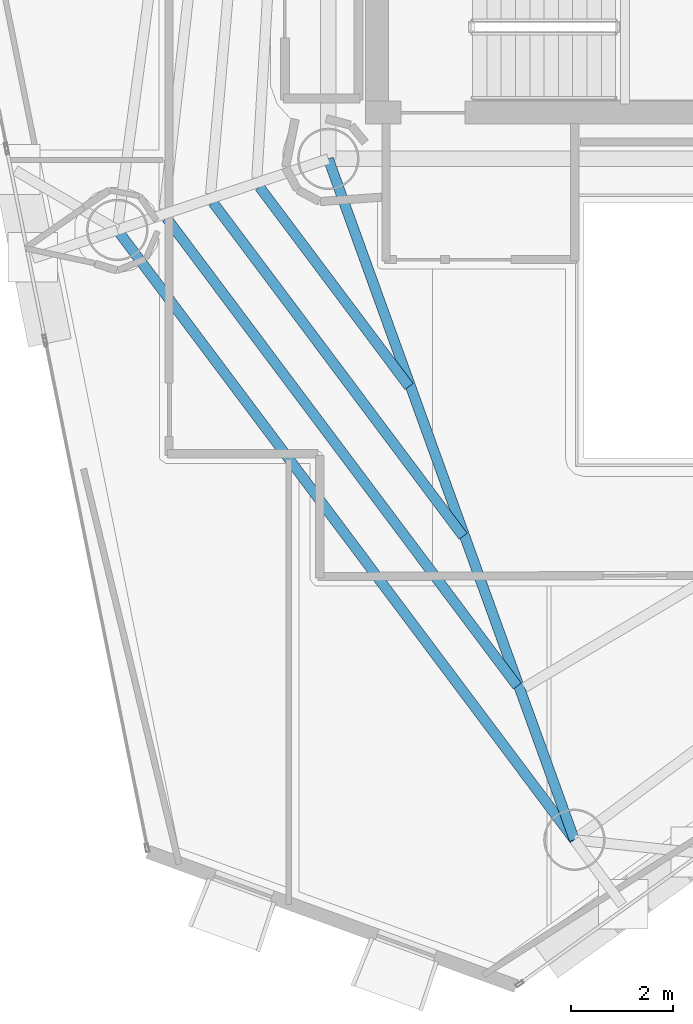
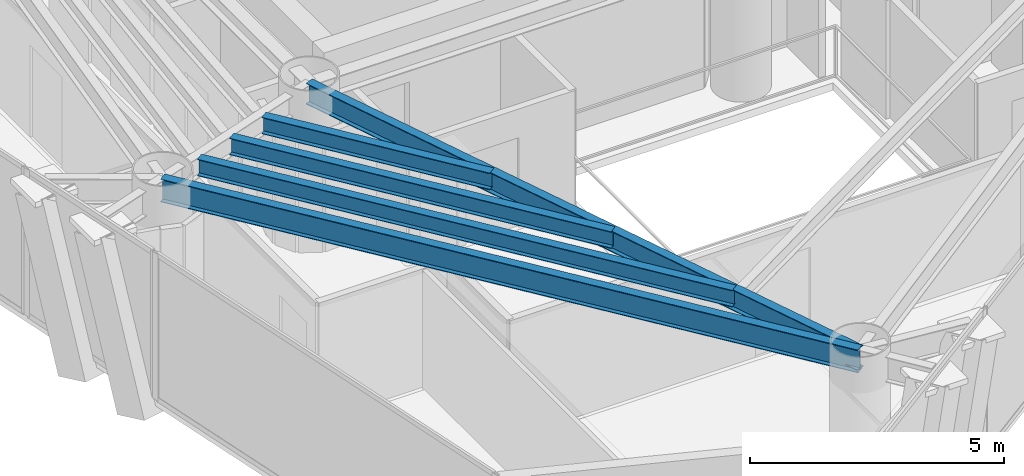
# One storey, part 5 of 22: 5 beams.
"""IFC4 building model written with IfcOpenShell, lengths in metres."""

from ifc_helpers import new_model, si_unit, direction, frame, origin, origin_2d, place, context, subcontext, project, spatial, i_section, extrude, material, material_profile, profile_set, type_object, element, save


model = new_model("IFC4")

# Units and contexts
model_context = context("Model", 3, precision=1e-05, world=origin(), true_north=direction((0.0, 1.0)))
body_context = subcontext(model_context, "Body", "Model", "MODEL_VIEW")
ifc_project = project(units=[si_unit("LENGTHUNIT", "METRE"), si_unit("AREAUNIT", "SQUARE_METRE"), si_unit("VOLUMEUNIT", "CUBIC_METRE"), si_unit("PLANEANGLEUNIT", "RADIAN"), si_unit("MASSUNIT", "GRAM", prefix="KILO")], contexts=[model_context])

# Site, building, storey
site_placement = place(None, origin())
site = spatial("IfcSite", under=ifc_project, at=site_placement, CompositionType="ELEMENT")
building_placement = place(site_placement, origin())
building = spatial("IfcBuilding", under=site, at=building_placement, Name="Qianvela Tower", CompositionType="ELEMENT")
storey_placement = place(building_placement, frame((0.0, 0.0, 196.60009765625)))
storey = spatial("IfcBuildingStorey", under=building, at=storey_placement, Name="L50", CompositionType="ELEMENT", Elevation=196.60009765625)

# Beams
ifc_material_1 = material(Name="Steel Q355B", Category="steel")
ifc_material_profile_1 = material_profile(ifc_material_1, i_section(OverallWidth=0.199951171875, OverallDepth=0.39990234375, WebThickness=0.008056640625, FlangeThickness=0.012939453125, at=origin_2d()), Name="HN400x200x8x13")
ifc_profile_set_1 = profile_set([ifc_material_profile_1], Name="Steel Q355B")
beam_type_1 = type_object("IfcBeamType", Name="BM-HN400-JOIST", PredefinedType="JOIST", material=ifc_profile_set_1)
beam_1_placement = place(storey_placement, frame((27.254150390625, 23.300537109375, 3.31787109375), z_axis=(0.599735620965, -0.800198216035, 0.0), x_axis=(0.800198216035, 0.599735620965, 0.0)))
element("IfcBeam", 1, at=beam_1_placement, inside=storey, type_object=beam_type_1, Name="L50 Secondary Composite Floor Joist 4.1", PredefinedType="JOIST", context=body_context, shape_type="SweptSolid", body=[
    extrude(i_section(OverallWidth=0.199951171875, OverallDepth=0.39990234375, WebThickness=0.008056640625, FlangeThickness=0.012939453125, at=origin_2d()), origin(), (0.0, 0.0, 1.0), 4.87646484375),
])
beam_2_placement = place(storey_placement, frame((26.345947265625, 22.994873046875, 3.31787109375), z_axis=(0.59975572356, -0.800183149071, 0.0), x_axis=(0.800183149071, 0.59975572356, 0.0)))
element("IfcBeam", 2, at=beam_2_placement, inside=storey, type_object=beam_type_1, Name="L50 Secondary Composite Floor Joist 4.2", PredefinedType="JOIST", context=body_context, shape_type="SweptSolid", body=[
    extrude(i_section(OverallWidth=0.199951171875, OverallDepth=0.39990234375, WebThickness=0.008056640625, FlangeThickness=0.012939453125, at=origin_2d()), origin(), (0.0, 0.0, 1.0), 8.156494140625),
])
beam_3_placement = place(storey_placement, frame((25.437744140625, 22.68896484375, 3.31787109375), z_axis=(0.599760871552, -0.800179290507, 0.0), x_axis=(0.800179290507, 0.599760871552, 0.0)))
element("IfcBeam", 3, at=beam_3_placement, inside=storey, type_object=beam_type_1, Name="L50 Secondary Composite Floor Joist 4.3", PredefinedType="JOIST", context=body_context, shape_type="SweptSolid", body=[
    extrude(i_section(OverallWidth=0.199951171875, OverallDepth=0.39990234375, WebThickness=0.008056640625, FlangeThickness=0.012939453125, at=origin_2d()), origin(), (0.0, 0.0, 1.0), 11.43603515625),
])
ifc_material_2 = material(Name="Steel Q355B", Category="steel")
ifc_material_profile_2 = material_profile(ifc_material_2, i_section(OverallWidth=0.199951171875, OverallDepth=0.5, WebThickness=0.010009765625, FlangeThickness=0.01611328125, at=origin_2d()), Name="HN500x200x10x16")
ifc_profile_set_2 = profile_set([ifc_material_profile_2], Name="Steel Q355B")
beam_type_2 = type_object("IfcBeamType", Name="BM-HN500-GIRD", PredefinedType="BEAM", material=ifc_profile_set_2)
beam_4_placement = place(storey_placement, frame((28.60009765625, 23.85009765625, 3.267822265625), z_axis=(0.339851607149, -0.940479072132, 0.0), x_axis=(0.940479072132, 0.339851607149, 0.0)))
element("IfcBeam", 4, at=beam_4_placement, inside=storey, type_object=beam_type_2, Name="L50 Radial Primary Floor Girder 5", PredefinedType="BEAM", context=body_context, shape_type="SweptSolid", body=[
    extrude(i_section(OverallWidth=0.199951171875, OverallDepth=0.5, WebThickness=0.010009765625, FlangeThickness=0.01611328125, at=origin_2d()), origin(), (0.0, 0.0, 1.0), 14.162109375),
])
ifc_material_3 = material(Name="Steel Q355B", Category="steel")
ifc_material_profile_3 = material_profile(ifc_material_3, i_section(OverallWidth=0.199951171875, OverallDepth=0.550048828125, WebThickness=0.010009765625, FlangeThickness=0.01611328125, at=origin_2d()), Name="HN550x200x10x16")
ifc_profile_set_3 = profile_set([ifc_material_profile_3], Name="Steel Q355B")
beam_type_3 = type_object("IfcBeamType", Name="BM-HN550-GIRD", PredefinedType="BEAM", material=ifc_profile_set_3)
beam_5_placement = place(storey_placement, frame((24.471923828125, 22.4599609375, 3.242919921875), z_axis=(0.599761529533, -0.800178797327, 0.0), x_axis=(0.800178797327, 0.599761529533, 0.0)))
element("IfcBeam", 5, at=beam_5_placement, inside=storey, type_object=beam_type_3, Name="L50 Perimeter Ring Spandrel Girder 4", PredefinedType="BEAM", context=body_context, shape_type="SweptSolid", body=[
    extrude(i_section(OverallWidth=0.199951171875, OverallDepth=0.550048828125, WebThickness=0.010009765625, FlangeThickness=0.01611328125, at=origin_2d()), origin(), (0.0, 0.0, 1.0), 14.907958984375),
])

save(model, "model.ifc")
